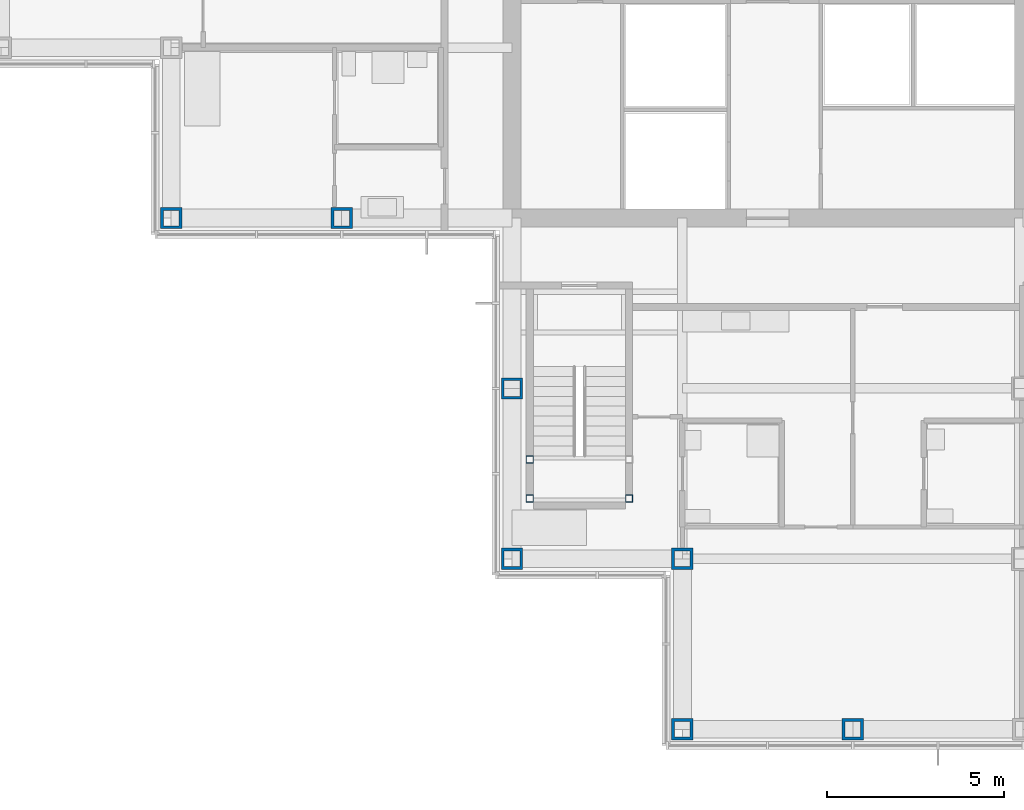
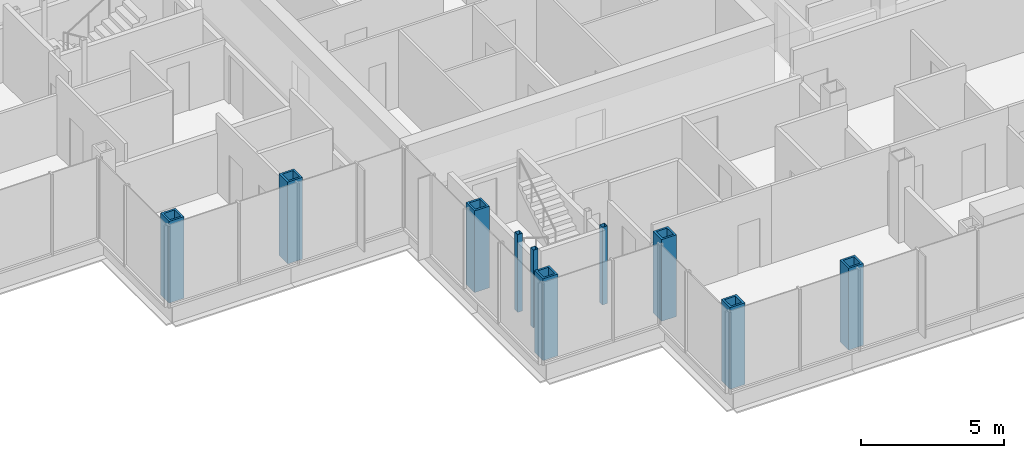
# One storey, part 1 of 20: 10 columns.
"""IFC4 building model written with IfcOpenShell, lengths in metres."""

import ifcopenshell
import ifcopenshell.guid

model = None  # the IFC model being written
_history = None  # IfcOwnerHistory: only IFC2X3 demands one
_inside = {}  # id of a spatial element -> (the spatial element, [elements in it])
_under = {}  # id of a project, library or spatial element -> (it, [spatial elements below it])
_declared = {}  # id of a project -> (the project, [libraries it declares])
_typed = {}  # id of a type object -> (the type object, [elements of that type])
_made_of = {}  # id of a material, layer set ... -> (it, [elements and type objects made of it])


def new_model(schema):
    """Start an empty IFC model of exactly this schema.

    Asked for "IFC4X3", IfcOpenShell would pick the latest addendum, in which some entities
    have other attributes; the version numbers below select the first issue.
    IFC2X3 requires an IfcOwnerHistory on every rooted entity: one is made here for all.
    """
    global model, _history
    if schema == "IFC4X3":
        model = ifcopenshell.file(schema_version=(4, 3, 0, 0))
    else:
        model = ifcopenshell.file(schema=schema)
    _inside.clear()
    _under.clear()
    _declared.clear()
    _typed.clear()
    _made_of.clear()
    _history = None
    if model.schema == "IFC2X3":
        org = make("IfcOrganization", Name="unknown")
        user = make(
            "IfcPersonAndOrganization",
            ThePerson=make("IfcPerson", FamilyName="unknown"),
            TheOrganization=org,
        )
        app = make(
            "IfcApplication",
            ApplicationDeveloper=org,
            Version="unknown",
            ApplicationFullName="unknown",
            ApplicationIdentifier="unknown",
        )
        _history = make(
            "IfcOwnerHistory",
            OwningUser=user,
            OwningApplication=app,
            ChangeAction="ADDED",
            CreationDate=0,
        )
    return model


def make(cls, **values):
    """One entity of the class cls with the attributes given. An attribute that is None is left unset."""
    return model.create_entity(
        cls, **{name: value for name, value in values.items() if value is not None}
    )


def rooted(cls, **values):
    """An entity with a GlobalId (a new one), such as an element, a storey or a relation."""
    return make(cls, GlobalId=ifcopenshell.guid.new(), OwnerHistory=_history, **values)


def si_unit(unit_type, name, prefix=None):
    """IfcSIUnit, for example si_unit("LENGTHUNIT", "METRE", prefix="MILLI")."""
    return make("IfcSIUnit", UnitType=unit_type, Prefix=prefix, Name=name)


def assignment(units):
    """IfcUnitAssignment: the units of a project."""
    return None if units is None else make("IfcUnitAssignment", Units=units)


def point(xyz):
    """IfcCartesianPoint."""
    return None if xyz is None else make("IfcCartesianPoint", Coordinates=xyz)


def direction(xyz):
    """IfcDirection."""
    return None if xyz is None else make("IfcDirection", DirectionRatios=xyz)


def frame(location, z_axis=None, x_axis=None):
    """IfcAxis2Placement3D, a coordinate frame: its origin and axes. An axis left out is left unset."""
    return make(
        "IfcAxis2Placement3D",
        Location=point(location),
        Axis=direction(z_axis),
        RefDirection=direction(x_axis),
    )


def frame_2d(location, x_axis=None):
    """IfcAxis2Placement2D, a coordinate frame in the plane: its origin and x axis."""
    return make(
        "IfcAxis2Placement2D", Location=point(location), RefDirection=direction(x_axis)
    )


def origin():
    """The frame at (0, 0, 0) with its axes left unset."""
    return frame((0.0, 0.0, 0.0))


def origin_2d():
    """The frame at (0, 0) in the plane with its x axis left unset."""
    return frame_2d((0.0, 0.0))


def place(relative_to, where):
    """IfcLocalPlacement: puts the frame where relative to a parent placement (None: the world)."""
    return make(
        "IfcLocalPlacement", PlacementRelTo=relative_to, RelativePlacement=where
    )


def context(
    kind, dimensions, precision=None, world=None, true_north=None, identifier=None
):
    """IfcGeometricRepresentationContext, for example the 3D "Model" context."""
    return make(
        "IfcGeometricRepresentationContext",
        ContextIdentifier=identifier,
        ContextType=kind,
        CoordinateSpaceDimension=dimensions,
        Precision=precision,
        WorldCoordinateSystem=world,
        TrueNorth=true_north,
    )


def subcontext(parent, identifier, kind, view, scale=None):
    """IfcGeometricRepresentationSubContext, for example "Body" below "Model"."""
    return make(
        "IfcGeometricRepresentationSubContext",
        ContextIdentifier=identifier,
        ContextType=kind,
        ParentContext=parent,
        TargetScale=scale,
        TargetView=view,
    )


def project(units=None, contexts=None):
    """IfcProject with its units and contexts."""
    return rooted(
        "IfcProject",
        Name="project",
        RepresentationContexts=contexts,
        UnitsInContext=assignment(units),
    )


def spatial(cls, under=None, at=None, **own):
    """A site, building, storey or space (cls), placed at a placement, below another one or the project."""
    s = rooted(cls, ObjectPlacement=at, **own)
    if under is not None:
        _under.setdefault(under.id(), (under, []))[1].append(s)
    return s


def profile(cls, at=None, kind="AREA", **sizes):
    """A parametric profile (cls). Its sizes go by their IFC names, for example OverallWidth=200.0."""
    return make(cls, ProfileType=kind, Position=at, **sizes)


def hollow_rectangle(**sizes):
    """IfcRectangleHollowProfileDef."""
    return profile("IfcRectangleHollowProfileDef", **sizes)


def extrude(swept, where, along, depth):
    """IfcExtrudedAreaSolid: the profile swept, set in the frame where, extruded along a direction by depth."""
    return make(
        "IfcExtrudedAreaSolid",
        SweptArea=swept,
        Position=where,
        ExtrudedDirection=direction(along),
        Depth=depth,
    )


def shape(context_of_items, identifier, shape_type, items):
    """IfcShapeRepresentation: the items that make up one representation, for example the "Body"."""
    return make(
        "IfcShapeRepresentation",
        ContextOfItems=context_of_items,
        RepresentationIdentifier=identifier,
        RepresentationType=shape_type,
        Items=items,
    )


def material(Name=None, Category=None):
    """IfcMaterial."""
    return make("IfcMaterial", Name=Name, Category=Category)


def material_profile(
    of_material, cross_section, Name=None, Category=None, Priority=None
):
    """IfcMaterialProfile: a cross section and its material."""
    return make(
        "IfcMaterialProfile",
        Name=Name,
        Material=of_material,
        Profile=cross_section,
        Priority=Priority,
        Category=Category,
    )


def profile_set(profiles, Name=None, composite=None):
    """IfcMaterialProfileSet."""
    return make(
        "IfcMaterialProfileSet",
        Name=Name,
        MaterialProfiles=profiles,
        CompositeProfile=composite,
    )


def made_of(thing, what):
    """Note that an element or type object is made of a material, layer set ...; save() writes the relation."""
    if what is not None:
        _made_of.setdefault(what.id(), (what, []))[1].append(thing)
    return thing


def type_object(cls, material=None, **own):
    """A type object (cls), such as IfcWallType, which elements share."""
    return made_of(rooted(cls, **own), material)


def element(
    cls,
    number,
    at=None,
    inside=None,
    cuts=None,
    type_object=None,
    material=None,
    context=None,
    identifier="Body",
    shape_type=None,
    held_by="IfcProductDefinitionShape",
    body=None,
    shapes=None,
    **own,
):
    """One element of the class cls, such as IfcWall. Its Tag is "e" and its number.

    at: its placement. inside: the storey or other place that contains it. cuts: it is an
    opening in that element (IfcRelVoidsElement). A single representation is given by context,
    identifier, shape_type and body (its items); several are given by shapes. held_by: the class
    of the entity that holds the representations. save() writes the other relations.
    """
    e = rooted(cls, Tag="e%d" % number, ObjectPlacement=at, **own)
    if body is not None:
        shapes = [shape(context, identifier, shape_type, body)]
    if shapes is not None:
        e.Representation = make(held_by, Representations=shapes)
    if inside is not None:
        _inside.setdefault(inside.id(), (inside, []))[1].append(e)
    if cuts is not None:
        rooted(
            "IfcRelVoidsElement", RelatingBuildingElement=cuts, RelatedOpeningElement=e
        )
    if type_object is not None:
        _typed.setdefault(type_object.id(), (type_object, []))[1].append(e)
    return made_of(e, material)


def aggregate(whole, parts):
    """IfcRelAggregates: a whole, such as a stair, and the parts it consists of."""
    return rooted("IfcRelAggregates", RelatingObject=whole, RelatedObjects=parts)


def save(model, path):
    """Write the relations noted so far, then the file.

    IfcRelAggregates (storeys below a building ...), IfcRelContainedInSpatialStructure (elements
    in a storey), IfcRelDefinesByType, IfcRelAssociatesMaterial and IfcRelDeclares: one each for
    every whole, place, type object, material and project.
    """
    for whole, parts in _under.values():
        aggregate(whole, parts)
    for where, things in _inside.values():
        rooted(
            "IfcRelContainedInSpatialStructure",
            RelatedElements=things,
            RelatingStructure=where,
        )
    for kind, things in _typed.values():
        rooted("IfcRelDefinesByType", RelatedObjects=things, RelatingType=kind)
    for what, things in _made_of.values():
        rooted("IfcRelAssociatesMaterial", RelatedObjects=things, RelatingMaterial=what)
    for by, libraries in _declared.values():
        rooted("IfcRelDeclares", RelatingContext=by, RelatedDefinitions=libraries)
    model.write(path)


model = new_model("IFC4")

# Units and contexts
model_context = context("Model", 3, precision=1e-05, world=origin(), true_north=direction((0.0, 1.0)))
body_context = subcontext(model_context, "Body", "Model", "MODEL_VIEW")
ifc_project = project(units=[si_unit("LENGTHUNIT", "METRE"), si_unit("AREAUNIT", "SQUARE_METRE"), si_unit("VOLUMEUNIT", "CUBIC_METRE"), si_unit("PLANEANGLEUNIT", "RADIAN"), si_unit("MASSUNIT", "GRAM", prefix="KILO")], contexts=[model_context])

# Site, building, storey
site_placement = place(None, origin())
site = spatial("IfcSite", under=ifc_project, at=site_placement, CompositionType="ELEMENT")
building_placement = place(site_placement, origin())
building = spatial("IfcBuilding", under=site, at=building_placement, Name="Kvirike Care Tower", CompositionType="ELEMENT")
storey_placement = place(building_placement, frame((0.0, 0.0, 126.0)))
storey = spatial("IfcBuildingStorey", under=building, at=storey_placement, Name="L34", CompositionType="ELEMENT", Elevation=126.0)

# Columns
ifc_material_1 = material(Name="Steel S460", Category="steel")
ifc_material_profile_1 = material_profile(ifc_material_1, hollow_rectangle(XDim=0.60009765625, YDim=0.60009765625, WallThickness=0.080078125, at=origin_2d()), Name="BX 600x600x80")
ifc_profile_set_1 = profile_set([ifc_material_profile_1], Name="Steel S460")
column_type_1 = type_object("IfcColumnType", Name="COLUMN BX 600x600x80", PredefinedType="COLUMN", material=ifc_profile_set_1)
for number, where, z_axis, x_axis, name in (
    (1, (4.800048828125, 28.800048828125, 0.0), (0.0, 0.0, 1.0), (0.0, 1.0, 0.0), "Column G4 L34"),
    (2, (9.60009765625, 28.800048828125, 0.0), (0.0, 0.0, 1.0), (0.0, 1.0, 0.0), "Column G5 L34"),
    (3, (14.39990234375, 19.199951171875, 0.0), (0.0, 0.0, 1.0), (0.0, 1.0, 0.0), "Column E6 L34"),
    (4, (14.39990234375, 24.0, 0.0), (0.0, 0.0, 1.0), (1.0, 0.0, 0.0), "Column F6 L34"),
    (5, (19.199951171875, 14.39990234375, 0.0), (0.0, 0.0, 1.0), (0.0, 1.0, 0.0), "Column D7 L34"),
    (6, (19.199951171875, 19.199951171875, 0.0), (0.0, 0.0, 1.0), (0.0, 1.0, 0.0), "Column E7 L34"),
    (7, (24.0, 14.39990234375, 0.0), (0.0, 0.0, 1.0), (0.0, 1.0, 0.0), "Column D8 L34"),
):
    element("IfcColumn", number, at=place(storey_placement, frame(where, z_axis=z_axis, x_axis=x_axis)), inside=storey, type_object=column_type_1, Name=name, PredefinedType="COLUMN", context=body_context, shape_type="SweptSolid", body=[
        extrude(hollow_rectangle(XDim=0.60009765625, YDim=0.60009765625, WallThickness=0.080078125, at=origin_2d()), origin(), (0.0, 0.0, 1.0), 3.5),
    ])
ifc_material_2 = material(Name="Steel S460", Category="steel")
ifc_material_profile_2 = material_profile(ifc_material_2, hollow_rectangle(XDim=0.199951171875, YDim=0.199951171875, WallThickness=0.008056640625, at=origin_2d()), Name="SHS 200x200x8")
ifc_profile_set_2 = profile_set([ifc_material_profile_2], Name="Steel S460")
column_type_2 = type_object("IfcColumnType", Name="STAIR POST SHS 200x200x8", PredefinedType="COLUMN", material=ifc_profile_set_2)
for number, where, z_axis, x_axis, name in (
    (8, (14.89990234375, 20.89990234375, 0.0), (0.0, 0.0, 1.0), (1.0, 0.0, 0.0), "Stair 5 post 1 L34"),
    (9, (17.699951171875, 20.89990234375, 0.0), (0.0, 0.0, 1.0), (1.0, 0.0, 0.0), "Stair 5 post 2 L34"),
    (10, (14.89990234375, 22.0, 0.0), (0.0, 0.0, 1.0), (1.0, 0.0, 0.0), "Stair 5 post 3 L34"),
):
    element("IfcColumn", number, at=place(storey_placement, frame(where, z_axis=z_axis, x_axis=x_axis)), inside=storey, type_object=column_type_2, Name=name, PredefinedType="COLUMN", context=body_context, shape_type="SweptSolid", body=[
        extrude(hollow_rectangle(XDim=0.199951171875, YDim=0.199951171875, WallThickness=0.008056640625, at=origin_2d()), origin(), (0.0, 0.0, 1.0), 3.330078125),
    ])

save(model, "model.ifc")
